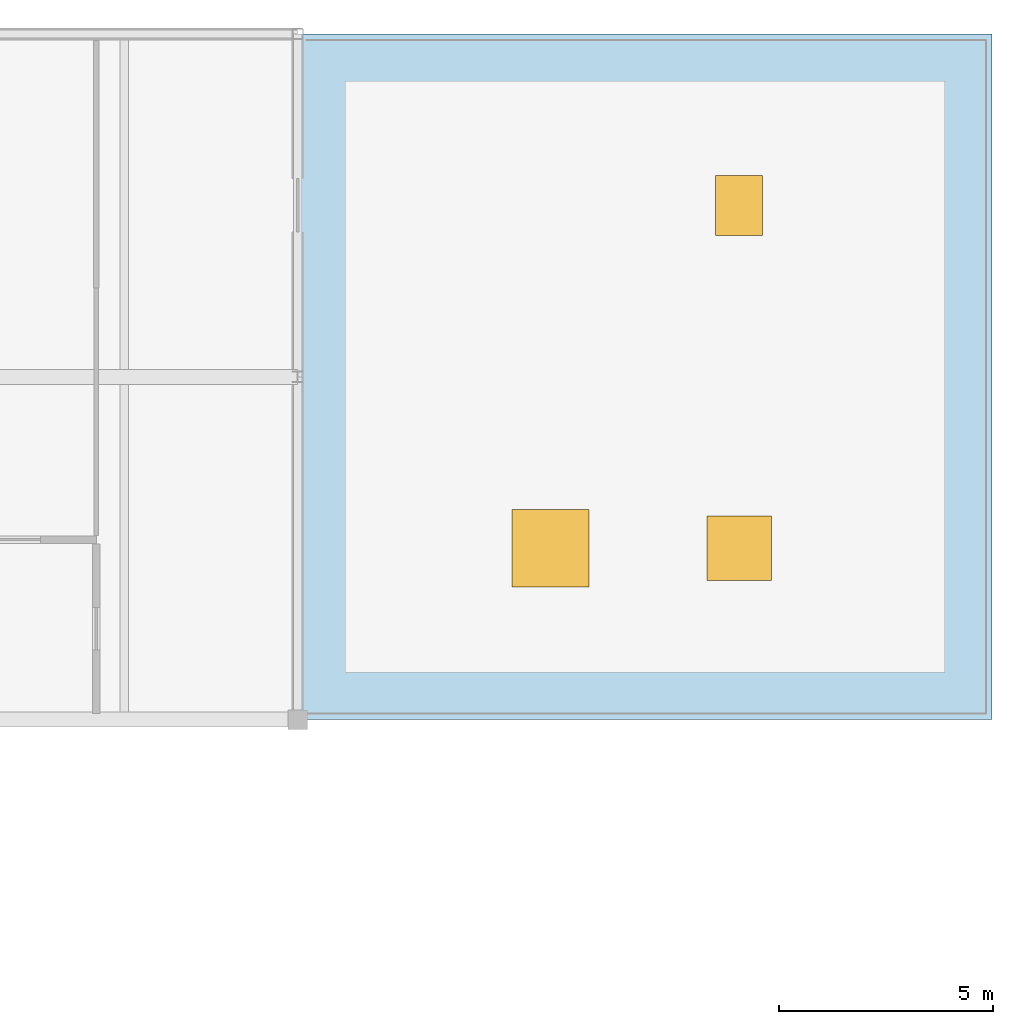
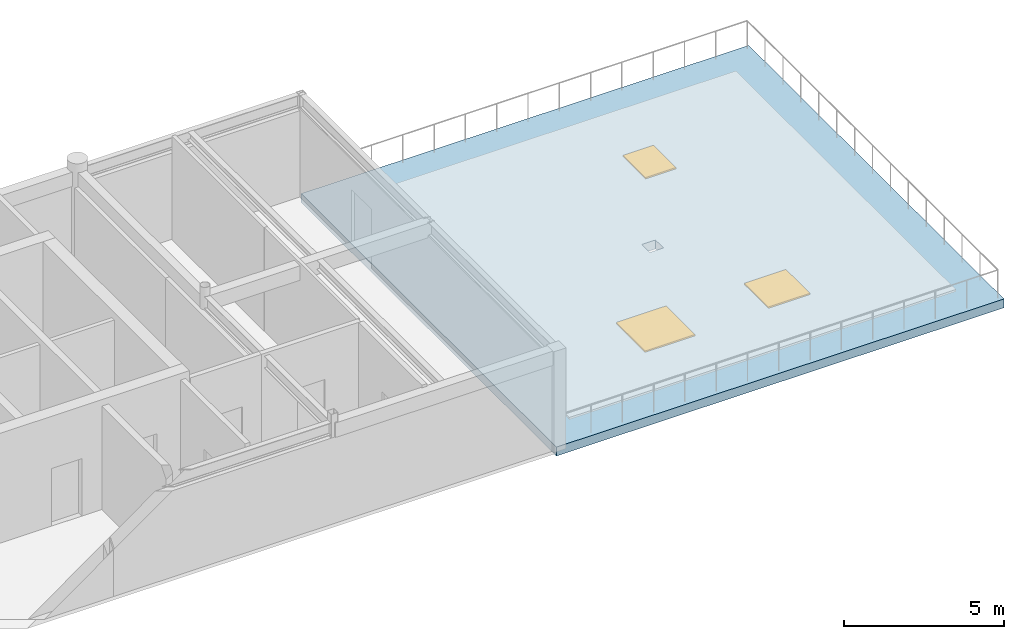
# One storey, part 11 of 18: 2 windows, 1 door, 1 slab, 3 openings.
"""IFC4 building model written with IfcOpenShell, lengths in metres."""

from ifc_helpers import new_model, si_unit, direction, frame, origin, origin_2d, place, context, subcontext, project, spatial, polyline, rectangle, outline, extrude, material, layer, layer_set, type_object, element, fill, save


model = new_model("IFC4")

# Units and contexts
model_context = context("Model", 3, precision=1e-05, world=origin(), true_north=direction((0.0, 1.0)))
body_context = subcontext(model_context, "Body", "Model", "MODEL_VIEW")
ifc_project = project(units=[si_unit("LENGTHUNIT", "METRE"), si_unit("AREAUNIT", "SQUARE_METRE"), si_unit("VOLUMEUNIT", "CUBIC_METRE"), si_unit("PLANEANGLEUNIT", "RADIAN"), si_unit("MASSUNIT", "GRAM", prefix="KILO")], contexts=[model_context])

# Site, building, storey
site_placement = place(None, origin())
site = spatial("IfcSite", under=ifc_project, at=site_placement, CompositionType="ELEMENT")
building_placement = place(site_placement, origin())
building = spatial("IfcBuilding", under=site, at=building_placement, Name="Tarnveldt Square Police Headquarters", CompositionType="ELEMENT")
storey_placement = place(building_placement, frame((0.0, 0.0, 29.10009765625)))
storey = spatial("IfcBuildingStorey", under=building, at=storey_placement, Name="L06", CompositionType="ELEMENT", Elevation=29.10009765625)

# Slab, openings, door, windows
ifc_material_1 = material(Name="Concrete 40 MPa", Category="concrete")
ifc_layer = layer(ifc_material_1, 0.340087890625)
ifc_layer_set = layer_set([ifc_layer], Name="Concrete 40 MPa")
slab_type = type_object("IfcSlabType", Name="SL-TER-340", PredefinedType="ROOF", material=ifc_layer_set)
slab_placement = place(storey_placement, frame((0.0, 0.0, -0.340087890625)))
slab = element("IfcSlab", 1, at=slab_placement, inside=storey, type_object=slab_type, Name="Forensic Wing Planted Roof Terrace", PredefinedType="ROOF", context=body_context, shape_type="SweptSolid", body=[
    extrude(outline(polyline([(89.10009765625, 96.0), (72.89990234375, 96.0), (72.89990234375, 112.0), (89.10009765625, 112.0), (89.10009765625, 96.0)]), holes=[polyline([(81.25, 104.25), (80.75, 104.25), (80.75, 103.75), (81.25, 103.75), (81.25, 104.25)])]), origin(), (0.0, 0.0, 1.0), 0.340087890625),
])
opening_1_placement = place(slab_placement, frame((78.800048828125, 100.0, 0.0)))
opening_1 = element("IfcOpeningElement", 2, at=opening_1_placement, cuts=slab, Name="Opening SK1", PredefinedType="OPENING", context=body_context, shape_type="SweptSolid", body=[
    extrude(rectangle(XDim=1.800048828125, YDim=1.800048828125, at=origin_2d()), frame((0.0, 0.0, -0.010009765625)), (0.0, 0.0, 1.0), 0.420166015625),
])
opening_2_placement = place(slab_placement, frame((83.199951171875, 100.0, 0.0)))
opening_2 = element("IfcOpeningElement", 3, at=opening_2_placement, cuts=slab, Name="Opening SK4", PredefinedType="OPENING", context=body_context, shape_type="SweptSolid", body=[
    extrude(rectangle(XDim=1.5, YDim=1.5, at=origin_2d()), frame((0.0, 0.0, -0.010009765625)), (0.0, 0.0, 1.0), 0.420166015625),
])
opening_3_placement = place(slab_placement, frame((83.199951171875, 108.0, 0.0)))
opening_3 = element("IfcOpeningElement", 4, at=opening_3_placement, cuts=slab, Name="Opening RH2", PredefinedType="OPENING", context=body_context, shape_type="SweptSolid", body=[
    extrude(rectangle(XDim=1.10009765625, YDim=1.39990234375, at=origin_2d()), frame((0.0, 0.0, -0.010009765625)), (0.0, 0.0, 1.0), 0.420166015625),
])
ifc_material_2 = material(Name="Steel 350W", Category="steel")
door_type = type_object("IfcDoorType", Name="HT-ROOF-110x140", OperationType="SINGLE_SWING_LEFT", PredefinedType="TRAPDOOR", material=ifc_material_2)
door_placement = place(opening_3_placement, frame((0.0, 0.0, 0.340087890625)))
door = element("IfcDoor", 5, at=door_placement, inside=storey, type_object=door_type, Name="Roof Maintenance Access Hatch HT-TER-3", OperationType="SINGLE_SWING_LEFT", OverallHeight=1.39990234375, OverallWidth=1.10009765625, PredefinedType="TRAPDOOR", context=body_context, shape_type="SweptSolid", body=[
    extrude(rectangle(XDim=1.10009765625, YDim=1.39990234375, at=origin_2d()), origin(), (0.0, 0.0, 1.0), 0.050048828125),
])
fill(opening_3, door)
ifc_material_3 = material(Name="Triple-glazed low-e laminated vision glass", Category="glass")
window_type_1 = type_object("IfcWindowType", Name="SKY-150x150", PartitioningType="SINGLE_PANEL", PredefinedType="SKYLIGHT", material=ifc_material_3)
window_1_placement = place(opening_2_placement, frame((0.0, 0.0, 0.340087890625)))
window_1 = element("IfcWindow", 6, at=window_1_placement, inside=storey, type_object=window_type_1, Name="Architectural Daylighting Skylight SKY-TER-4", OverallHeight=1.5, OverallWidth=1.5, PartitioningType="SINGLE_PANEL", PredefinedType="SKYLIGHT", context=body_context, shape_type="SweptSolid", body=[
    extrude(rectangle(XDim=1.5, YDim=1.5, at=origin_2d()), origin(), (0.0, 0.0, 1.0), 0.050048828125),
])
fill(opening_2, window_1)
window_type_2 = type_object("IfcWindowType", Name="SKY-180x180", PartitioningType="SINGLE_PANEL", PredefinedType="SKYLIGHT", material=ifc_material_3)
window_2_placement = place(opening_1_placement, frame((0.0, 0.0, 0.340087890625)))
window_2 = element("IfcWindow", 7, at=window_2_placement, inside=storey, type_object=window_type_2, Name="Architectural Daylighting Skylight SKY-TER-3", OverallHeight=1.800048828125, OverallWidth=1.800048828125, PartitioningType="SINGLE_PANEL", PredefinedType="SKYLIGHT", context=body_context, shape_type="SweptSolid", body=[
    extrude(rectangle(XDim=1.800048828125, YDim=1.800048828125, at=origin_2d()), origin(), (0.0, 0.0, 1.0), 0.050048828125),
])
fill(opening_1, window_2)

save(model, "model.ifc")
